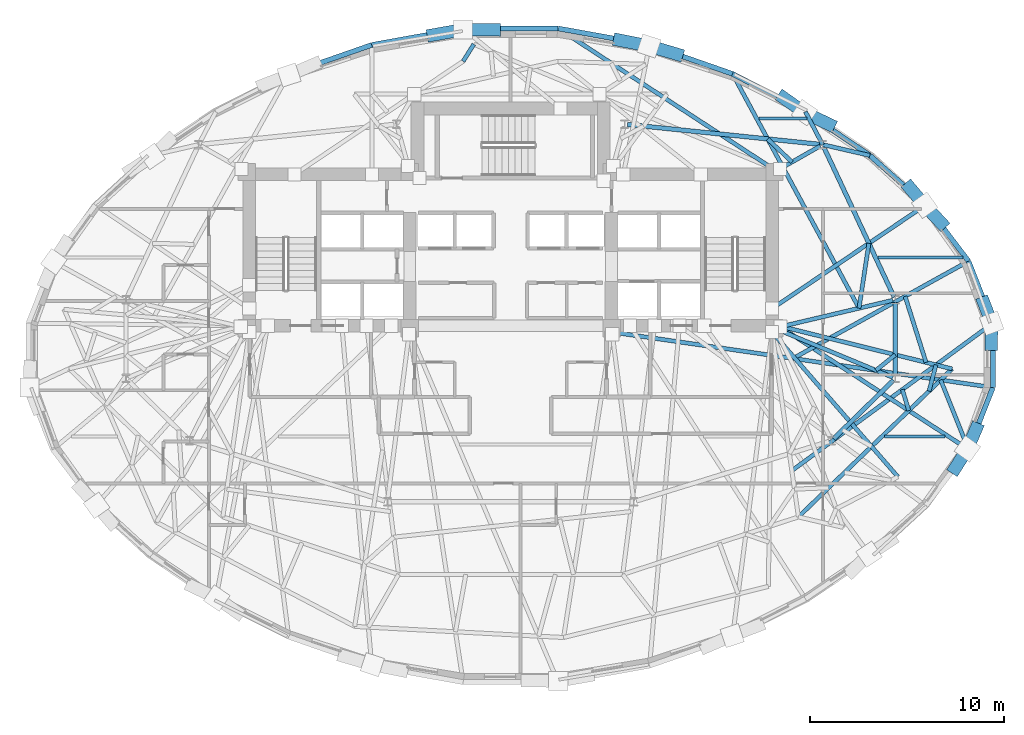
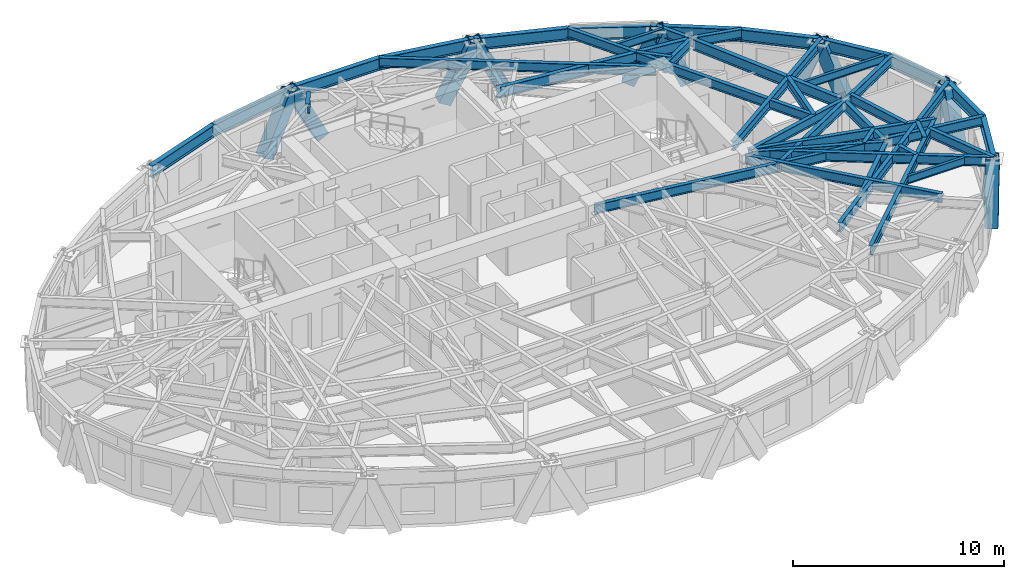
# One storey, part 4 of 14: 42 beams, 12 members.
"""IFC4 building model written with IfcOpenShell, lengths in metres."""

from ifc_helpers import new_model, si_unit, direction, frame, origin, origin_2d, place, context, subcontext, project, spatial, hollow_rectangle, i_section, extrude, material, material_profile, profile_set, type_object, element, save


model = new_model("IFC4")

# Units and contexts
model_context = context("Model", 3, precision=1e-05, world=origin(), true_north=direction((0.0, 1.0)))
body_context = subcontext(model_context, "Body", "Model", "MODEL_VIEW")
ifc_project = project(units=[si_unit("LENGTHUNIT", "METRE"), si_unit("AREAUNIT", "SQUARE_METRE"), si_unit("VOLUMEUNIT", "CUBIC_METRE"), si_unit("PLANEANGLEUNIT", "RADIAN"), si_unit("MASSUNIT", "GRAM", prefix="KILO")], contexts=[model_context])

# Site, building, storey
site_placement = place(None, origin())
site = spatial("IfcSite", under=ifc_project, at=site_placement, CompositionType="ELEMENT")
building_placement = place(site_placement, origin())
building = spatial("IfcBuilding", under=site, at=building_placement, Name="Keldmark Tower", CompositionType="ELEMENT")
storey_placement = place(building_placement, frame((0.0, 0.0, 172.60009765625)))
storey = spatial("IfcBuildingStorey", under=building, at=storey_placement, Name="L47", CompositionType="ELEMENT", Elevation=172.60009765625)

# Beams
ifc_material_1 = material(Name="Steel ASTM A992 Grade 50", Category="steel")
ifc_material_profile_1 = material_profile(ifc_material_1, i_section(OverallWidth=0.153076171875, OverallDepth=0.455078125, WebThickness=0.008056640625, FlangeThickness=0.01318359375, at=origin_2d()), Name="W18X40")
ifc_profile_set_1 = profile_set([ifc_material_profile_1], Name="Steel ASTM A992 Grade 50")
beam_type_1 = type_object("IfcBeamType", Name="Composite Floor Joist W18X40", PredefinedType="JOIST", material=ifc_profile_set_1)
beam_1_placement = place(storey_placement, frame((19.28076171875, -4.179931640625, 2.79248046875), z_axis=(1.0, 0.0, 0.0), x_axis=(0.0, 1.0, 0.0)))
element("IfcBeam", 1, at=beam_1_placement, inside=storey, type_object=beam_type_1, Name="L47 Composite Floor Joist J05", PredefinedType="JOIST", context=body_context, shape_type="SweptSolid", body=[
    extrude(i_section(OverallWidth=0.153076171875, OverallDepth=0.455078125, WebThickness=0.008056640625, FlangeThickness=0.01318359375, at=origin_2d()), origin(), (0.0, 0.0, 1.0), 3.10595703125),
])
beam_2_placement = place(storey_placement, frame((18.927734375, 5.0400390625, 2.79248046875), z_axis=(1.0, 0.0, 0.0), x_axis=(0.0, 1.0, 0.0)))
element("IfcBeam", 2, at=beam_2_placement, inside=storey, type_object=beam_type_1, Name="L47 Composite Floor Joist J07", PredefinedType="JOIST", context=body_context, shape_type="SweptSolid", body=[
    extrude(i_section(OverallWidth=0.153076171875, OverallDepth=0.455078125, WebThickness=0.008056640625, FlangeThickness=0.01318359375, at=origin_2d()), origin(), (0.0, 0.0, 1.0), 4.3818359375),
])
beam_3_placement = place(storey_placement, frame((12.793701171875, 12.199951171875, 2.79248046875), z_axis=(1.0, 0.0, 0.0), x_axis=(0.0, 1.0, 0.0)))
element("IfcBeam", 3, at=beam_3_placement, inside=storey, type_object=beam_type_1, Name="L47 Composite Floor Joist J08", PredefinedType="JOIST", context=body_context, shape_type="SweptSolid", body=[
    extrude(i_section(OverallWidth=0.153076171875, OverallDepth=0.455078125, WebThickness=0.008056640625, FlangeThickness=0.01318359375, at=origin_2d()), origin(), (0.0, 0.0, 1.0), 2.477783203125),
])

# Members
ifc_material_2 = material(Name="Steel ASTM A572 Grade 50", Category="steel")
ifc_material_profile_2 = material_profile(ifc_material_2, hollow_rectangle(XDim=0.64990234375, YDim=0.64990234375, WallThickness=0.0400390625, at=origin_2d()), Name="BOX650X650X40")
ifc_profile_set_2 = profile_set([ifc_material_profile_2], Name="Steel ASTM A572 Grade 50")
member_type = type_object("IfcMemberType", Name="Diagrid Zone 3 Brace BOX650X650X40", PredefinedType="BRACE", material=ifc_profile_set_2)
member_1_placement = place(storey_placement, frame((24.38427734375, 2.7216796875, -0.260009765625), z_axis=(0.122475110806, -0.31781056333, 0.940210770556), x_axis=(0.933109034576, 0.359593561667, 0.0)))
element("IfcMember", 4, at=member_1_placement, inside=storey, type_object=member_type, Name="L47 Perimeter Diagrid Brace 01A", PredefinedType="BRACE", context=body_context, shape_type="SweptSolid", body=[
    extrude(hollow_rectangle(XDim=0.64990234375, YDim=0.64990234375, WallThickness=0.0400390625, at=origin_2d()), origin(), (0.0, 0.0, 1.0), 3.36083984375),
])
member_2_placement = place(storey_placement, frame((22.2041015625, 6.812744140625, -0.260009765625), z_axis=(-0.253036610594, 0.271546235072, 0.928566161303), x_axis=(-0.731601387091, -0.681732653176, 0.0)))
element("IfcMember", 5, at=member_2_placement, inside=storey, type_object=member_type, Name="L47 Perimeter Diagrid Brace 01B", PredefinedType="BRACE", context=body_context, shape_type="SweptSolid", body=[
    extrude(hollow_rectangle(XDim=0.64990234375, YDim=0.64990234375, WallThickness=0.0400390625, at=origin_2d()), origin(), (0.0, 0.0, 1.0), 3.403076171875),
])
member_3_placement = place(storey_placement, frame((20.5615234375, 8.652099609375, -0.260009765625), z_axis=(0.232148107129, -0.273543886406, 0.933424340033), x_axis=(0.762440016242, 0.647058901208, 0.0)))
element("IfcMember", 6, at=member_3_placement, inside=storey, type_object=member_type, Name="L47 Perimeter Diagrid Brace 02A", PredefinedType="BRACE", context=body_context, shape_type="SweptSolid", body=[
    extrude(hollow_rectangle(XDim=0.64990234375, YDim=0.64990234375, WallThickness=0.0400390625, at=origin_2d()), origin(), (0.0, 0.0, 1.0), 3.38525390625),
])
member_4_placement = place(storey_placement, frame((16.439697265625, 11.896484375, -0.260009765625), z_axis=(-0.371925685796, 0.178079482412, 0.911020846188), x_axis=(-0.431854089726, -0.901943482258, 0.0)))
element("IfcMember", 7, at=member_4_placement, inside=storey, type_object=member_type, Name="L47 Perimeter Diagrid Brace 02B", PredefinedType="BRACE", context=body_context, shape_type="SweptSolid", body=[
    extrude(hollow_rectangle(XDim=0.64990234375, YDim=0.64990234375, WallThickness=0.0400390625, at=origin_2d()), origin(), (0.0, 0.0, 1.0), 3.468505859375),
])
member_5_placement = place(storey_placement, frame((14.047607421875, 13.28759765625, -0.260009765625), z_axis=(0.32283882666, -0.227293298805, 0.918756141922), x_axis=(0.575680436379, 0.817674773471, 0.0)))
element("IfcMember", 8, at=member_5_placement, inside=storey, type_object=member_type, Name="L47 Perimeter Diagrid Brace 03A", PredefinedType="BRACE", context=body_context, shape_type="SweptSolid", body=[
    extrude(hollow_rectangle(XDim=0.64990234375, YDim=0.64990234375, WallThickness=0.0400390625, at=origin_2d()), origin(), (0.0, 0.0, 1.0), 3.439453125),
])
member_6_placement = place(storey_placement, frame((8.598876953125, 15.513916015625, -0.260009765625), z_axis=(-0.418052295261, 0.123357413805, 0.900008459342), x_axis=(-0.283012656921, -0.959116174414, 0.0)))
element("IfcMember", 9, at=member_6_placement, inside=storey, type_object=member_type, Name="L47 Perimeter Diagrid Brace 03B", PredefinedType="BRACE", context=body_context, shape_type="SweptSolid", body=[
    extrude(hollow_rectangle(XDim=0.64990234375, YDim=0.64990234375, WallThickness=0.0400390625, at=origin_2d()), origin(), (0.0, 0.0, 1.0), 3.510986328125),
])
member_7_placement = place(storey_placement, frame((5.583740234375, 16.249267578125, -0.260009765625), z_axis=(0.440632554098, -0.086773479634, 0.893483808192), x_axis=(0.193218363627, 0.981155779659, 0.0)))
element("IfcMember", 10, at=member_7_placement, inside=storey, type_object=member_type, Name="L47 Perimeter Diagrid Brace 04A", PredefinedType="BRACE", context=body_context, shape_type="SweptSolid", body=[
    extrude(hollow_rectangle(XDim=0.64990234375, YDim=0.64990234375, WallThickness=0.0400390625, at=origin_2d()), origin(), (0.0, 0.0, 1.0), 3.53662109375),
])
member_8_placement = place(storey_placement, frame((-0.8212890625, 16.774658203125, -0.260009765625), z_axis=(-0.459058198217, 0.004324262334, 0.888395672775), x_axis=(-0.009419438558, -0.999955636105, 0.0)))
element("IfcMember", 11, at=member_8_placement, inside=storey, type_object=member_type, Name="L47 Perimeter Diagrid Brace 04B", PredefinedType="BRACE", context=body_context, shape_type="SweptSolid", body=[
    extrude(hollow_rectangle(XDim=0.64990234375, YDim=0.64990234375, WallThickness=0.0400390625, at=origin_2d()), origin(), (0.0, 0.0, 1.0), 3.556884765625),
])
member_9_placement = place(storey_placement, frame((-4.017578125, 16.5107421875, -0.260009765625), z_axis=(0.444800567531, 0.078855082792, 0.892151517984), x_axis=(-0.174559994051, 0.984646539869, 0.0)))
element("IfcMember", 12, at=member_9_placement, inside=storey, type_object=member_type, Name="L47 Perimeter Diagrid Brace 05A", PredefinedType="BRACE", context=body_context, shape_type="SweptSolid", body=[
    extrude(hollow_rectangle(XDim=0.64990234375, YDim=0.64990234375, WallThickness=0.0400390625, at=origin_2d()), origin(), (0.0, 0.0, 1.0), 3.5419921875),
])
member_10_placement = place(storey_placement, frame((22.91064453125, -5.820068359375, -0.260009765625), z_axis=(0.18916227481, 0.294887631925, 0.936621011043), x_axis=(-0.841708251644, 0.539932606085, 0.0)))
element("IfcMember", 13, at=member_10_placement, inside=storey, type_object=member_type, Name="L47 Perimeter Diagrid Brace 15B", PredefinedType="BRACE", context=body_context, shape_type="SweptSolid", body=[
    extrude(hollow_rectangle(XDim=0.64990234375, YDim=0.64990234375, WallThickness=0.0400390625, at=origin_2d()), origin(), (0.0, 0.0, 1.0), 3.373779296875),
])
member_11_placement = place(storey_placement, frame((23.997314453125, -3.779541015625, -0.260009765625), z_axis=(-0.13468439485, -0.314239385935, 0.939741305951), x_axis=(0.919134045045, -0.393944929196, 0.0)))
element("IfcMember", 14, at=member_11_placement, inside=storey, type_object=member_type, Name="L47 Perimeter Diagrid Brace 16A", PredefinedType="BRACE", context=body_context, shape_type="SweptSolid", body=[
    extrude(hollow_rectangle(XDim=0.64990234375, YDim=0.64990234375, WallThickness=0.0400390625, at=origin_2d()), origin(), (0.0, 0.0, 1.0), 3.362548828125),
])
member_12_placement = place(storey_placement, frame((24.7734375, 0.55859375, -0.260009765625), z_axis=(0.006708401649, 0.330534616012, 0.943770027584), x_axis=(-0.999794107713, 0.020291431262, 0.0)))
element("IfcMember", 15, at=member_12_placement, inside=storey, type_object=member_type, Name="L47 Perimeter Diagrid Brace 16B", PredefinedType="BRACE", context=body_context, shape_type="SweptSolid", body=[
    extrude(hollow_rectangle(XDim=0.64990234375, YDim=0.64990234375, WallThickness=0.0400390625, at=origin_2d()), origin(), (0.0, 0.0, 1.0), 3.34814453125),
])

# Beams
ifc_material_3 = material(Name="Steel ASTM A992 Grade 50", Category="steel")
ifc_material_profile_3 = material_profile(ifc_material_3, i_section(OverallWidth=0.22900390625, OverallDepth=0.612060546875, WebThickness=0.011962890625, FlangeThickness=0.01953125, at=origin_2d()), Name="W24X84")
ifc_profile_set_3 = profile_set([ifc_material_profile_3], Name="Steel ASTM A992 Grade 50")
beam_type_2 = type_object("IfcBeamType", Name="Primary Floor Girder W24X84", PredefinedType="BEAM", material=ifc_profile_set_3)
beam_4_placement = place(storey_placement, frame((19.76904296875, 2.99609375, 2.7138671875), z_axis=(-0.424526823774, 0.905415360979, 0.0), x_axis=(-0.905415360979, -0.424526823774, 0.0)))
element("IfcBeam", 16, at=beam_4_placement, inside=storey, type_object=beam_type_2, Name="L47 Floor Ring Girder FG-R01", PredefinedType="BEAM", context=body_context, shape_type="SweptSolid", body=[
    extrude(i_section(OverallWidth=0.22900390625, OverallDepth=0.612060546875, WebThickness=0.011962890625, FlangeThickness=0.01953125, at=origin_2d()), origin(), (0.0, 0.0, 1.0), 8.54638671875),
])
beam_5_placement = place(storey_placement, frame((15.942138671875, 10.87548828125, 2.7138671875), z_axis=(-0.994702930931, 0.102791435423, 0.0), x_axis=(-0.102791435423, -0.994702930931, 0.0)))
element("IfcBeam", 17, at=beam_5_placement, inside=storey, type_object=beam_type_2, Name="L47 Floor Ring Girder FG-R02", PredefinedType="BEAM", context=body_context, shape_type="SweptSolid", body=[
    extrude(i_section(OverallWidth=0.22900390625, OverallDepth=0.612060546875, WebThickness=0.011962890625, FlangeThickness=0.01953125, at=origin_2d()), origin(), (0.0, 0.0, 1.0), 9.975341796875),
])
beam_6_placement = place(storey_placement, frame((16.646728515625, -4.300537109375, 2.7138671875), z_axis=(0.714964509815, 0.699160746684, 0.0), x_axis=(-0.699160746684, 0.714964509815, 0.0)))
element("IfcBeam", 18, at=beam_6_placement, inside=storey, type_object=beam_type_2, Name="L47 Floor Ring Girder FG-R11", PredefinedType="BEAM", context=body_context, shape_type="SweptSolid", body=[
    extrude(i_section(OverallWidth=0.22900390625, OverallDepth=0.612060546875, WebThickness=0.011962890625, FlangeThickness=0.01953125, at=origin_2d()), origin(), (0.0, 0.0, 1.0), 4.31005859375),
])
beam_7_placement = place(storey_placement, frame((19.828369140625, -1.04931640625, 2.7138671875), z_axis=(0.0, 1.0, 0.0), x_axis=(-1.0, 0.0, 0.0)))
element("IfcBeam", 19, at=beam_7_placement, inside=storey, type_object=beam_type_2, Name="L47 Floor Ring Girder FG-R12", PredefinedType="BEAM", context=body_context, shape_type="SweptSolid", body=[
    extrude(i_section(OverallWidth=0.22900390625, OverallDepth=0.612060546875, WebThickness=0.011962890625, FlangeThickness=0.01953125, at=origin_2d()), origin(), (0.0, 0.0, 1.0), 3.778564453125),
])
ifc_material_4 = material(Name="Steel ASTM A992 Grade 50", Category="steel")
ifc_material_profile_4 = material_profile(ifc_material_4, i_section(OverallWidth=0.2099609375, OverallDepth=0.537109375, WebThickness=0.010986328125, FlangeThickness=0.017333984375, at=origin_2d()), Name="W21X68")
ifc_profile_set_4 = profile_set([ifc_material_profile_4], Name="Steel ASTM A992 Grade 50")
beam_type_3 = type_object("IfcBeamType", Name="Radial Tie Girder W21X68", PredefinedType="BEAM", material=ifc_profile_set_4)
beam_8_placement = place(storey_placement, frame((19.692138671875, 2.837158203125, 2.75146484375), z_axis=(-0.973280062348, -0.229621253887, 0.0), x_axis=(0.229621253887, -0.973280062348, 0.0)))
element("IfcBeam", 20, at=beam_8_placement, inside=storey, type_object=beam_type_3, Name="L47 Floor Radial Girder FG-C01", PredefinedType="BEAM", context=body_context, shape_type="SweptSolid", body=[
    extrude(i_section(OverallWidth=0.2099609375, OverallDepth=0.537109375, WebThickness=0.010986328125, FlangeThickness=0.017333984375, at=origin_2d()), origin(), (0.0, 0.0, 1.0), 5.939208984375),
])
beam_9_placement = place(storey_placement, frame((15.959716796875, 10.791748046875, 2.75146484375), z_axis=(-0.86929527307, -0.494293160197, 0.0), x_axis=(0.494293160197, -0.86929527307, 0.0)))
element("IfcBeam", 21, at=beam_9_placement, inside=storey, type_object=beam_type_3, Name="L47 Floor Radial Girder FG-C02", PredefinedType="BEAM", context=body_context, shape_type="SweptSolid", body=[
    extrude(i_section(OverallWidth=0.2099609375, OverallDepth=0.537109375, WebThickness=0.010986328125, FlangeThickness=0.017333984375, at=origin_2d()), origin(), (0.0, 0.0, 1.0), 2.39453125),
])
beam_10_placement = place(storey_placement, frame((19.69921875, -1.135498046875, 2.75146484375), z_axis=(-0.923393794893, 0.383854008124, 0.0), x_axis=(-0.383854008124, -0.923393794893, 0.0)))
element("IfcBeam", 22, at=beam_10_placement, inside=storey, type_object=beam_type_3, Name="L47 Floor Radial Girder FG-C12", PredefinedType="BEAM", context=body_context, shape_type="SweptSolid", body=[
    extrude(i_section(OverallWidth=0.2099609375, OverallDepth=0.537109375, WebThickness=0.010986328125, FlangeThickness=0.017333984375, at=origin_2d()), origin(), (0.0, 0.0, 1.0), 6.28515625),
])
beam_11_placement = place(storey_placement, frame((18.82861328125, -0.773681640625, 2.75146484375), z_axis=(0.779752937026, 0.626087339913, 0.0), x_axis=(-0.626087339913, 0.779752937026, 0.0)))
element("IfcBeam", 23, at=beam_11_placement, inside=storey, type_object=beam_type_3, Name="L47 Framing Pin Header PH-008", PredefinedType="BEAM", context=body_context, shape_type="SweptSolid", body=[
    extrude(i_section(OverallWidth=0.2099609375, OverallDepth=0.537109375, WebThickness=0.010986328125, FlangeThickness=0.017333984375, at=origin_2d()), origin(), (0.0, 0.0, 1.0), 1.2822265625),
])
beam_12_placement = place(storey_placement, frame((13.800048828125, 1.52490234375, 2.75146484375), z_axis=(0.970567456577, -0.240829425597, 0.0), x_axis=(0.240829425597, 0.970567456577, 0.0)))
element("IfcBeam", 24, at=beam_12_placement, inside=storey, type_object=beam_type_3, Name="L47 Sub-Ring Step Girder STP1-M12", PredefinedType="BEAM", context=body_context, shape_type="SweptSolid", body=[
    extrude(i_section(OverallWidth=0.2099609375, OverallDepth=0.537109375, WebThickness=0.010986328125, FlangeThickness=0.017333984375, at=origin_2d()), origin(), (0.0, 0.0, 1.0), 9.22705078125),
])
beam_13_placement = place(storey_placement, frame((14.83349609375, -8.328857421875, 2.75146484375), z_axis=(0.720189182033, 0.693777732478, 0.0), x_axis=(-0.693777732478, 0.720189182033, 0.0)))
element("IfcBeam", 25, at=beam_13_placement, inside=storey, type_object=beam_type_3, Name="L47 Perimeter Collector Ring Beam CRG1-M11", PredefinedType="BEAM", context=body_context, shape_type="SweptSolid", body=[
    extrude(i_section(OverallWidth=0.2099609375, OverallDepth=0.537109375, WebThickness=0.010986328125, FlangeThickness=0.017333984375, at=origin_2d()), origin(), (0.0, 0.0, 1.0), 11.0),
])
beam_14_placement = place(storey_placement, frame((21.5673828125, -1.842041015625, 2.75146484375), z_axis=(0.256281478471, 0.966602195214, 0.0), x_axis=(-0.966602195214, 0.256281478471, 0.0)))
element("IfcBeam", 26, at=beam_14_placement, inside=storey, type_object=beam_type_3, Name="L47 Framing Pin Header PH-014", PredefinedType="BEAM", context=body_context, shape_type="SweptSolid", body=[
    extrude(i_section(OverallWidth=0.2099609375, OverallDepth=0.537109375, WebThickness=0.010986328125, FlangeThickness=0.017333984375, at=origin_2d()), origin(), (0.0, 0.0, 1.0), 1.3974609375),
])
beam_15_placement = place(storey_placement, frame((14.493896484375, -5.946533203125, 2.75146484375), z_axis=(0.806134387225, 0.591732498459, 0.0), x_axis=(-0.591732498459, 0.806134387225, 0.0)))
element("IfcBeam", 27, at=beam_15_placement, inside=storey, type_object=beam_type_3, Name="L47 Perimeter Radial Tie Girder RT-01", PredefinedType="BEAM", context=body_context, shape_type="SweptSolid", body=[
    extrude(i_section(OverallWidth=0.2099609375, OverallDepth=0.537109375, WebThickness=0.010986328125, FlangeThickness=0.017333984375, at=origin_2d()), origin(), (0.0, 0.0, 1.0), 12.853759765625),
])
beam_16_placement = place(storey_placement, frame((21.412353515625, -0.364013671875, 2.75146484375), z_axis=(-0.302312025226, 0.953209021885, 0.0), x_axis=(-0.953209021885, -0.302312025226, 0.0)))
element("IfcBeam", 28, at=beam_16_placement, inside=storey, type_object=beam_type_3, Name="L47 Framing Pin Header PH-015", PredefinedType="BEAM", context=body_context, shape_type="SweptSolid", body=[
    extrude(i_section(OverallWidth=0.2099609375, OverallDepth=0.537109375, WebThickness=0.010986328125, FlangeThickness=0.017333984375, at=origin_2d()), origin(), (0.0, 0.0, 1.0), 3.572021484375),
])
beam_17_placement = place(storey_placement, frame((14.4296875, -0.232421875, 2.75146484375), z_axis=(0.874548992067, 0.484937171677, 0.0), x_axis=(-0.484937171677, 0.874548992067, 0.0)))
element("IfcBeam", 29, at=beam_17_placement, inside=storey, type_object=beam_type_3, Name="L47 Perimeter Radial Tie Girder RT-02", PredefinedType="BEAM", context=body_context, shape_type="SweptSolid", body=[
    extrude(i_section(OverallWidth=0.2099609375, OverallDepth=0.537109375, WebThickness=0.010986328125, FlangeThickness=0.017333984375, at=origin_2d()), origin(), (0.0, 0.0, 1.0), 10.48779296875),
])
beam_18_placement = place(storey_placement, frame((17.9580078125, 2.427978515625, 2.75146484375), z_axis=(0.150160028356, 0.988661704469, 0.0), x_axis=(-0.988661704469, 0.150160028356, 0.0)))
element("IfcBeam", 30, at=beam_18_placement, inside=storey, type_object=beam_type_3, Name="L47 Framing Pin Header PH-016", PredefinedType="BEAM", context=body_context, shape_type="SweptSolid", body=[
    extrude(i_section(OverallWidth=0.2099609375, OverallDepth=0.537109375, WebThickness=0.010986328125, FlangeThickness=0.017333984375, at=origin_2d()), origin(), (0.0, 0.0, 1.0), 3.385009765625),
])
beam_19_placement = place(storey_placement, frame((13.47509765625, 2.406982421875, 2.75146484375), z_axis=(0.828953457394, 0.559317589098, 0.0), x_axis=(-0.559317589098, 0.828953457394, 0.0)))
element("IfcBeam", 31, at=beam_19_placement, inside=storey, type_object=beam_type_3, Name="L47 Perimeter Radial Tie Girder RT-03", PredefinedType="BEAM", context=body_context, shape_type="SweptSolid", body=[
    extrude(i_section(OverallWidth=0.2099609375, OverallDepth=0.537109375, WebThickness=0.010986328125, FlangeThickness=0.017333984375, at=origin_2d()), origin(), (0.0, 0.0, 1.0), 9.560546875),
])
beam_20_placement = place(storey_placement, frame((16.08154296875, 10.861083984375, 2.75146484375), z_axis=(0.974593383716, -0.223981553743, 0.0), x_axis=(0.223981553743, 0.974593383716, 0.0)))
element("IfcBeam", 32, at=beam_20_placement, inside=storey, type_object=beam_type_3, Name="L47 Perimeter Column Bracket RT-04", PredefinedType="BEAM", context=body_context, shape_type="SweptSolid", body=[
    extrude(i_section(OverallWidth=0.2099609375, OverallDepth=0.537109375, WebThickness=0.010986328125, FlangeThickness=0.017333984375, at=origin_2d()), origin(), (0.0, 0.0, 1.0), 2.498291015625),
])
beam_21_placement = place(storey_placement, frame((16.08154296875, 10.861083984375, 2.75146484375), z_axis=(-0.463863622321, 0.885906620298, 0.0), x_axis=(-0.885906620298, -0.463863622321, 0.0)))
element("IfcBeam", 33, at=beam_21_placement, inside=storey, type_object=beam_type_3, Name="L47 Perimeter Column Bracket RT-05", PredefinedType="BEAM", context=body_context, shape_type="SweptSolid", body=[
    extrude(i_section(OverallWidth=0.2099609375, OverallDepth=0.537109375, WebThickness=0.010986328125, FlangeThickness=0.017333984375, at=origin_2d()), origin(), (0.0, 0.0, 1.0), 1.908935546875),
])
beam_22_placement = place(storey_placement, frame((14.502685546875, 9.96337890625, 2.75146484375), z_axis=(-0.725291952014, 0.688441416784, 0.0), x_axis=(-0.688441416784, -0.725291952014, 0.0)))
element("IfcBeam", 34, at=beam_22_placement, inside=storey, type_object=beam_type_3, Name="L47 Framing Pin Header PH-017", PredefinedType="BEAM", context=body_context, shape_type="SweptSolid", body=[
    extrude(i_section(OverallWidth=0.2099609375, OverallDepth=0.537109375, WebThickness=0.010986328125, FlangeThickness=0.017333984375, at=origin_2d()), origin(), (0.0, 0.0, 1.0), 1.729248046875),
])
beam_23_placement = place(storey_placement, frame((17.9580078125, 2.427978515625, 2.75146484375), z_axis=(-0.474948124603, 0.880013794742, 0.0), x_axis=(-0.880013794742, -0.474948124603, 0.0)))
element("IfcBeam", 35, at=beam_23_placement, inside=storey, type_object=beam_type_3, Name="L47 Perimeter Radial Tie Girder RT-06", PredefinedType="BEAM", context=body_context, shape_type="SweptSolid", body=[
    extrude(i_section(OverallWidth=0.2099609375, OverallDepth=0.537109375, WebThickness=0.010986328125, FlangeThickness=0.017333984375, at=origin_2d()), origin(), (0.0, 0.0, 1.0), 13.726318359375),
])
beam_24_placement = place(storey_placement, frame((13.47509765625, 9.64990234375, 2.75146484375), z_axis=(-0.837328350816, 0.546700313627, 0.0), x_axis=(-0.546700313627, -0.837328350816, 0.0)))
element("IfcBeam", 36, at=beam_24_placement, inside=storey, type_object=beam_type_3, Name="L47 Perimeter Radial Tie Girder RT-08", PredefinedType="BEAM", context=body_context, shape_type="SweptSolid", body=[
    extrude(i_section(OverallWidth=0.2099609375, OverallDepth=0.537109375, WebThickness=0.010986328125, FlangeThickness=0.017333984375, at=origin_2d()), origin(), (0.0, 0.0, 1.0), 13.16943359375),
])
beam_25_placement = place(storey_placement, frame((13.47509765625, 1.199951171875, 2.75146484375), z_axis=(0.656122479585, -0.754654418779, 0.0), x_axis=(0.754654418779, 0.656122479585, 0.0)))
element("IfcBeam", 37, at=beam_25_placement, inside=storey, type_object=beam_type_3, Name="L47 Intermediate Radial Step Girder RT-30M", PredefinedType="BEAM", context=body_context, shape_type="SweptSolid", body=[
    extrude(i_section(OverallWidth=0.2099609375, OverallDepth=0.537109375, WebThickness=0.010986328125, FlangeThickness=0.017333984375, at=origin_2d()), origin(), (0.0, 0.0, 1.0), 9.888916015625),
])
beam_26_placement = place(storey_placement, frame((20.19287109375, -1.76318359375, 2.75146484375), z_axis=(0.289834204796, -0.95707686929, 0.0), x_axis=(0.95707686929, 0.289834204796, 0.0)))
element("IfcBeam", 38, at=beam_26_placement, inside=storey, type_object=beam_type_3, Name="L47 Framing Pin Header PH-043", PredefinedType="BEAM", context=body_context, shape_type="SweptSolid", body=[
    extrude(i_section(OverallWidth=0.2099609375, OverallDepth=0.537109375, WebThickness=0.010986328125, FlangeThickness=0.017333984375, at=origin_2d()), origin(), (0.0, 0.0, 1.0), 1.134521484375),
])
beam_27_placement = place(storey_placement, frame((13.800048828125, 1.52490234375, 2.75146484375), z_axis=(0.838159226391, -0.545425623909, 0.0), x_axis=(0.545425623909, 0.838159226391, 0.0)))
element("IfcBeam", 39, at=beam_27_placement, inside=storey, type_object=beam_type_3, Name="L47 Perimeter Radial Tie Girder RT-31", PredefinedType="BEAM", context=body_context, shape_type="SweptSolid", body=[
    extrude(i_section(OverallWidth=0.2099609375, OverallDepth=0.537109375, WebThickness=0.010986328125, FlangeThickness=0.017333984375, at=origin_2d()), origin(), (0.0, 0.0, 1.0), 11.6943359375),
])
beam_28_placement = place(storey_placement, frame((23.601806640625, -4.853515625, 2.75146484375), z_axis=(-0.372327472592, 0.928101423958, 0.0), x_axis=(-0.928101423958, -0.372327472592, 0.0)))
element("IfcBeam", 40, at=beam_28_placement, inside=storey, type_object=beam_type_3, Name="L47 Framing Pin Header PH-044", PredefinedType="BEAM", context=body_context, shape_type="SweptSolid", body=[
    extrude(i_section(OverallWidth=0.2099609375, OverallDepth=0.537109375, WebThickness=0.010986328125, FlangeThickness=0.017333984375, at=origin_2d()), origin(), (0.0, 0.0, 1.0), 3.863525390625),
])
beam_29_placement = place(storey_placement, frame((5.199951171875, 1.199951171875, 2.75146484375), z_axis=(0.989583892505, -0.143957353733, 0.0), x_axis=(0.143957353733, 0.989583892505, 0.0)))
element("IfcBeam", 41, at=beam_29_placement, inside=storey, type_object=beam_type_3, Name="L47 Perimeter Radial Tie Girder RT-32", PredefinedType="BEAM", context=body_context, shape_type="SweptSolid", body=[
    extrude(i_section(OverallWidth=0.2099609375, OverallDepth=0.537109375, WebThickness=0.010986328125, FlangeThickness=0.017333984375, at=origin_2d()), origin(), (0.0, 0.0, 1.0), 19.862548828125),
])
beam_30_placement = place(storey_placement, frame((-1.898193359375, 16.036376953125, 2.75146484375), z_axis=(-0.529491618703, -0.848315168863, 0.0), x_axis=(0.848315168863, -0.529491618703, 0.0)))
element("IfcBeam", 42, at=beam_30_placement, inside=storey, type_object=beam_type_3, Name="L47 Crown Step Collector Chord RT-09RP2", PredefinedType="BEAM", context=body_context, shape_type="SweptSolid", body=[
    extrude(i_section(OverallWidth=0.2099609375, OverallDepth=0.537109375, WebThickness=0.010986328125, FlangeThickness=0.017333984375, at=origin_2d()), origin(), (0.0, 0.0, 1.0), 1.038330078125),
])
ifc_material_5 = material(Name="Steel ASTM A992 Grade 50", Category="steel")
ifc_material_profile_5 = material_profile(ifc_material_5, i_section(OverallWidth=0.256103515625, OverallDepth=0.693115234375, WebThickness=0.014404296875, FlangeThickness=0.023681640625, at=origin_2d()), Name="W27X114")
ifc_profile_set_5 = profile_set([ifc_material_profile_5], Name="Steel ASTM A992 Grade 50")
beam_type_4 = type_object("IfcBeamType", Name="Spandrel Ring Beam W27X114", PredefinedType="SPANDREL", material=ifc_profile_set_5)
beam_31_placement = place(storey_placement, frame((24.855712890625, 1.659423828125, 2.67333984375), z_axis=(-0.365421225195, 0.930842268151, 0.0), x_axis=(-0.930842268151, -0.365421225195, 0.0)))
element("IfcBeam", 43, at=beam_31_placement, inside=storey, type_object=beam_type_4, Name="L47 Perimeter Spandrel Ring Beam SRB-01", PredefinedType="SPANDREL", context=body_context, shape_type="SweptSolid", body=[
    extrude(i_section(OverallWidth=0.256103515625, OverallDepth=0.693115234375, WebThickness=0.014404296875, FlangeThickness=0.023681640625, at=origin_2d()), origin(), (0.0, 0.0, 1.0), 3.431396484375),
])
beam_32_placement = place(storey_placement, frame((23.601806640625, 4.853515625, 2.67333984375), z_axis=(-0.604517065871, 0.796592189939, 0.0), x_axis=(-0.796592189939, -0.604517065871, 0.0)))
element("IfcBeam", 44, at=beam_32_placement, inside=storey, type_object=beam_type_4, Name="L47 Perimeter Spandrel Ring Beam SRB-02", PredefinedType="SPANDREL", context=body_context, shape_type="SweptSolid", body=[
    extrude(i_section(OverallWidth=0.256103515625, OverallDepth=0.693115234375, WebThickness=0.014404296875, FlangeThickness=0.023681640625, at=origin_2d()), origin(), (0.0, 0.0, 1.0), 3.6416015625),
])
beam_33_placement = place(storey_placement, frame((21.400390625, 7.75439453125, 2.67333984375), z_axis=(-0.749530401757, 0.661969921403, 0.0), x_axis=(-0.661969921403, -0.749530401757, 0.0)))
element("IfcBeam", 45, at=beam_33_placement, inside=storey, type_object=beam_type_4, Name="L47 Perimeter Spandrel Ring Beam SRB-03", PredefinedType="SPANDREL", context=body_context, shape_type="SweptSolid", body=[
    extrude(i_section(OverallWidth=0.256103515625, OverallDepth=0.693115234375, WebThickness=0.014404296875, FlangeThickness=0.023681640625, at=origin_2d()), origin(), (0.0, 0.0, 1.0), 3.847900390625),
])
beam_34_placement = place(storey_placement, frame((18.516357421875, 10.301513671875, 2.67333984375), z_axis=(-0.827746348969, 0.561102469937, 0.0), x_axis=(-0.561102469937, -0.827746348969, 0.0)))
element("IfcBeam", 46, at=beam_34_placement, inside=storey, type_object=beam_type_4, Name="L47 Perimeter Spandrel Ring Beam SRB-04", PredefinedType="SPANDREL", context=body_context, shape_type="SweptSolid", body=[
    extrude(i_section(OverallWidth=0.256103515625, OverallDepth=0.693115234375, WebThickness=0.014404296875, FlangeThickness=0.023681640625, at=origin_2d()), origin(), (0.0, 0.0, 1.0), 4.01123046875),
])
beam_35_placement = place(storey_placement, frame((15.196044921875, 12.55224609375, 2.67333984375), z_axis=(-0.887094083226, 0.461588656171, 0.0), x_axis=(-0.461588656171, -0.887094083226, 0.0)))
element("IfcBeam", 47, at=beam_35_placement, inside=storey, type_object=beam_type_4, Name="L47 Perimeter Spandrel Ring Beam SRB-05", PredefinedType="SPANDREL", context=body_context, shape_type="SweptSolid", body=[
    extrude(i_section(OverallWidth=0.256103515625, OverallDepth=0.693115234375, WebThickness=0.014404296875, FlangeThickness=0.023681640625, at=origin_2d()), origin(), (0.0, 0.0, 1.0), 4.235595703125),
])
beam_36_placement = place(storey_placement, frame((11.438720703125, 14.50732421875, 2.67333984375), z_axis=(-0.944223944927, 0.329304026434, 0.0), x_axis=(-0.329304026434, -0.944223944927, 0.0)))
element("IfcBeam", 48, at=beam_36_placement, inside=storey, type_object=beam_type_4, Name="L47 Perimeter Spandrel Ring Beam SRB-06", PredefinedType="SPANDREL", context=body_context, shape_type="SweptSolid", body=[
    extrude(i_section(OverallWidth=0.256103515625, OverallDepth=0.693115234375, WebThickness=0.014404296875, FlangeThickness=0.023681640625, at=origin_2d()), origin(), (0.0, 0.0, 1.0), 4.531982421875),
])
beam_37_placement = place(storey_placement, frame((7.159423828125, 15.999755859375, 2.67333984375), z_axis=(-0.984117817758, 0.177516536616, 0.0), x_axis=(-0.177516536616, -0.984117817758, 0.0)))
element("IfcBeam", 49, at=beam_37_placement, inside=storey, type_object=beam_type_4, Name="L47 Perimeter Spandrel Ring Beam SRB-07", PredefinedType="SPANDREL", context=body_context, shape_type="SweptSolid", body=[
    extrude(i_section(OverallWidth=0.256103515625, OverallDepth=0.693115234375, WebThickness=0.014404296875, FlangeThickness=0.023681640625, at=origin_2d()), origin(), (0.0, 0.0, 1.0), 4.787353515625),
])
beam_38_placement = place(storey_placement, frame((2.447998046875, 16.849609375, 2.67333984375), z_axis=(-1.0, 0.0, 0.0), x_axis=(0.0, -1.0, 0.0)))
element("IfcBeam", 50, at=beam_38_placement, inside=storey, type_object=beam_type_4, Name="L47 Perimeter Spandrel Ring Beam SRB-08", PredefinedType="SPANDREL", context=body_context, shape_type="SweptSolid", body=[
    extrude(i_section(OverallWidth=0.256103515625, OverallDepth=0.693115234375, WebThickness=0.014404296875, FlangeThickness=0.023681640625, at=origin_2d()), origin(), (0.0, 0.0, 1.0), 4.89599609375),
])
beam_39_placement = place(storey_placement, frame((-2.447998046875, 16.849609375, 2.67333984375), z_axis=(-0.984117817758, -0.177516536616, 0.0), x_axis=(0.177516536616, -0.984117817758, 0.0)))
element("IfcBeam", 51, at=beam_39_placement, inside=storey, type_object=beam_type_4, Name="L47 Perimeter Spandrel Ring Beam SRB-09", PredefinedType="SPANDREL", context=body_context, shape_type="SweptSolid", body=[
    extrude(i_section(OverallWidth=0.256103515625, OverallDepth=0.693115234375, WebThickness=0.014404296875, FlangeThickness=0.023681640625, at=origin_2d()), origin(), (0.0, 0.0, 1.0), 4.787353515625),
])
beam_40_placement = place(storey_placement, frame((-7.159423828125, 15.999755859375, 2.67333984375), z_axis=(-0.944223944927, -0.329304026434, 0.0), x_axis=(0.329304026434, -0.944223944927, 0.0)))
element("IfcBeam", 52, at=beam_40_placement, inside=storey, type_object=beam_type_4, Name="L47 Perimeter Spandrel Ring Beam SRB-10", PredefinedType="SPANDREL", context=body_context, shape_type="SweptSolid", body=[
    extrude(i_section(OverallWidth=0.256103515625, OverallDepth=0.693115234375, WebThickness=0.014404296875, FlangeThickness=0.023681640625, at=origin_2d()), origin(), (0.0, 0.0, 1.0), 4.531982421875),
])
beam_41_placement = place(storey_placement, frame((23.601806640625, -4.853515625, 2.67333984375), z_axis=(0.365421225195, 0.930842268151, 0.0), x_axis=(-0.930842268151, 0.365421225195, 0.0)))
element("IfcBeam", 53, at=beam_41_placement, inside=storey, type_object=beam_type_4, Name="L47 Perimeter Spandrel Ring Beam SRB-31", PredefinedType="SPANDREL", context=body_context, shape_type="SweptSolid", body=[
    extrude(i_section(OverallWidth=0.256103515625, OverallDepth=0.693115234375, WebThickness=0.014404296875, FlangeThickness=0.023681640625, at=origin_2d()), origin(), (0.0, 0.0, 1.0), 3.431396484375),
])
beam_42_placement = place(storey_placement, frame((24.855712890625, -1.659423828125, 2.67333984375), z_axis=(0.0, 1.0, 0.0), x_axis=(-1.0, 0.0, 0.0)))
element("IfcBeam", 54, at=beam_42_placement, inside=storey, type_object=beam_type_4, Name="L47 Perimeter Spandrel Ring Beam SRB-32", PredefinedType="SPANDREL", context=body_context, shape_type="SweptSolid", body=[
    extrude(i_section(OverallWidth=0.256103515625, OverallDepth=0.693115234375, WebThickness=0.014404296875, FlangeThickness=0.023681640625, at=origin_2d()), origin(), (0.0, 0.0, 1.0), 3.31884765625),
])

save(model, "model.ifc")
